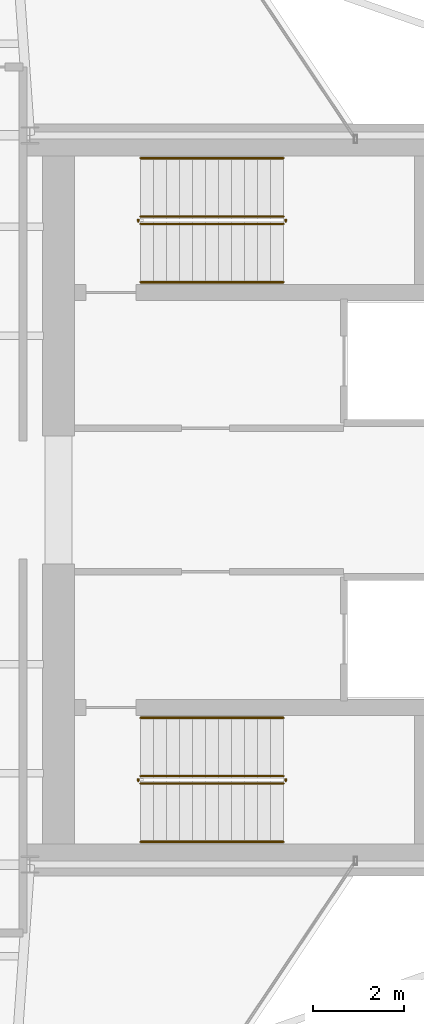
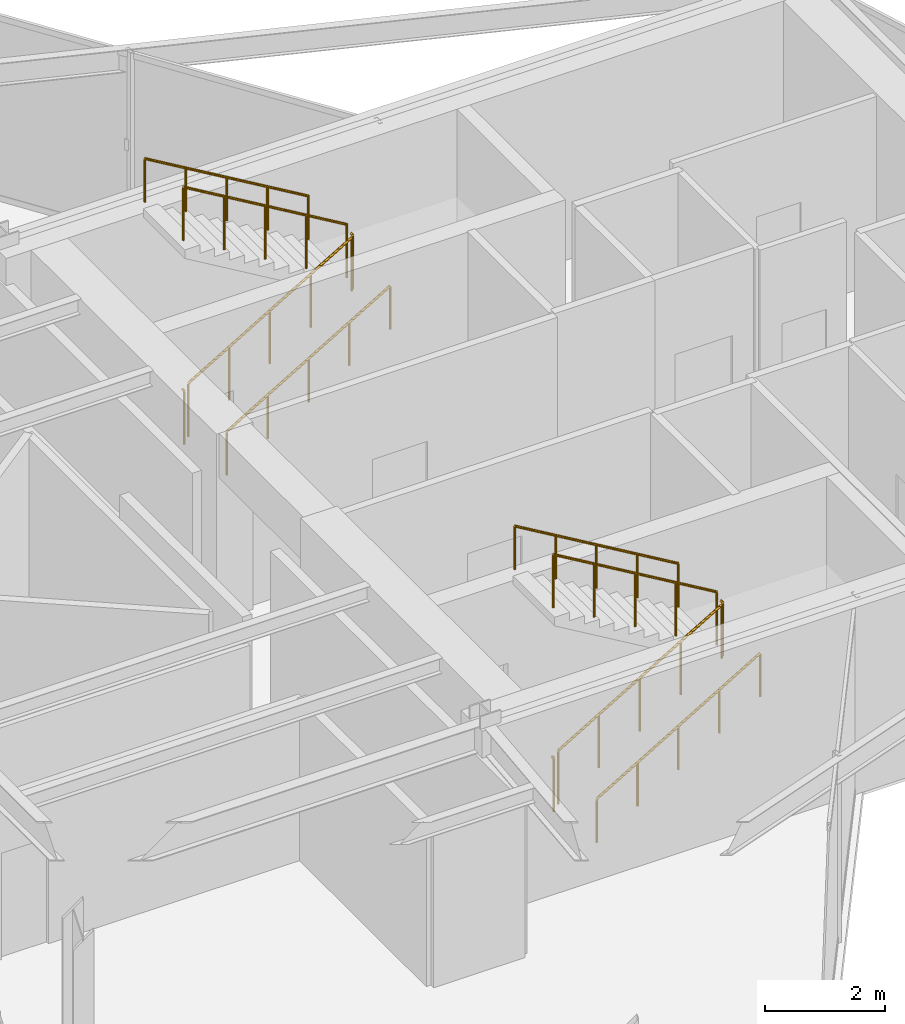
# One storey, part 22 of 22: 12 railings.
"""IFC4 building model written with IfcOpenShell, lengths in metres."""

from ifc_helpers import new_model, si_unit, direction, frame, origin, origin_2d, place, context, subcontext, project, spatial, circle, extrude, material, type_object, element, save


model = new_model("IFC4")

# Units and contexts
model_context = context("Model", 3, precision=1e-05, world=origin(), true_north=direction((0.0, 1.0)))
body_context = subcontext(model_context, "Body", "Model", "MODEL_VIEW")
ifc_project = project(units=[si_unit("LENGTHUNIT", "METRE"), si_unit("AREAUNIT", "SQUARE_METRE"), si_unit("VOLUMEUNIT", "CUBIC_METRE"), si_unit("PLANEANGLEUNIT", "RADIAN"), si_unit("MASSUNIT", "GRAM", prefix="KILO")], contexts=[model_context])

# Site, building, storey
site_placement = place(None, origin())
site = spatial("IfcSite", under=ifc_project, at=site_placement, CompositionType="ELEMENT")
building_placement = place(site_placement, origin())
building = spatial("IfcBuilding", under=site, at=building_placement, Name="Veymaron Broadcast Tower", CompositionType="ELEMENT")
storey_placement = place(building_placement, frame((0.0, 0.0, 208.050048828125)))
storey = spatial("IfcBuildingStorey", under=building, at=storey_placement, Name="L48", CompositionType="ELEMENT", Elevation=208.050048828125)

# Railings
ifc_material_1 = material(Name="Brushed stainless steel AISI 304", Category="steel")
railing_type_1 = type_object("IfcRailingType", Name="RAIL-STAIR-HR", PredefinedType="HANDRAIL", material=ifc_material_1)
railing_1_placement = place(storey_placement, frame((41.429931640625, 28.780029296875, 0.168701171875)))
element("IfcRailing", 1, at=railing_1_placement, inside=storey, type_object=railing_type_1, Name="L48 ST1 stair handrail 1", PredefinedType="HANDRAIL", context=body_context, shape_type="SweptSolid", body=[
    extrude(circle(Radius=0.02392578125, at=origin_2d()), frame((0.0, 0.0, 0.8759765625), z_axis=(0.860481960309, 0.0, 0.509480908359), x_axis=(0.0, 1.0, 0.0)), (0.0, 0.0, 1.0), 3.643310546875),
    extrude(circle(Radius=0.02099609375, at=origin_2d()), origin(), (0.0, 0.0, 1.0), 0.851806640625),
    extrude(circle(Radius=0.02099609375, at=origin_2d()), frame((0.78369140625, 0.0, 0.464111328125)), (0.0, 0.0, 1.0), 0.851806640625),
    extrude(circle(Radius=0.02099609375, at=origin_2d()), frame((1.5673828125, 0.0, 0.92822265625)), (0.0, 0.0, 1.0), 0.851806640625),
    extrude(circle(Radius=0.02099609375, at=origin_2d()), frame((2.351318359375, 0.0, 1.39208984375)), (0.0, 0.0, 1.0), 0.851806640625),
    extrude(circle(Radius=0.02099609375, at=origin_2d()), frame((3.135009765625, 0.0, 1.856201171875)), (0.0, 0.0, 1.0), 0.851806640625),
])
railing_2_placement = place(storey_placement, frame((44.56494140625, 31.5, 2.193603515625)))
element("IfcRailing", 2, at=railing_2_placement, inside=storey, type_object=railing_type_1, Name="L48 ST1 stair handrail 2", PredefinedType="HANDRAIL", context=body_context, shape_type="SweptSolid", body=[
    extrude(circle(Radius=0.02392578125, at=origin_2d()), frame((0.0, 0.0, 0.8759765625), z_axis=(-0.860452582533, 0.0, 0.509530522356), x_axis=(0.0, -1.0, 0.0)), (0.0, 0.0, 1.0), 3.6435546875),
    extrude(circle(Radius=0.02099609375, at=origin_2d()), origin(), (0.0, 0.0, 1.0), 0.851806640625),
    extrude(circle(Radius=0.02099609375, at=origin_2d()), frame((-0.78369140625, 0.0, 0.464111328125)), (0.0, 0.0, 1.0), 0.851806640625),
    extrude(circle(Radius=0.02099609375, at=origin_2d()), frame((-1.5673828125, 0.0, 0.92822265625)), (0.0, 0.0, 1.0), 0.851806640625),
    extrude(circle(Radius=0.02099609375, at=origin_2d()), frame((-2.351318359375, 0.0, 1.392333984375)), (0.0, 0.0, 1.0), 0.851806640625),
    extrude(circle(Radius=0.02099609375, at=origin_2d()), frame((-3.135009765625, 0.0, 1.8564453125)), (0.0, 0.0, 1.0), 0.851806640625),
])
railing_3_placement = place(storey_placement, frame((41.429931640625, 16.5, 0.168701171875)))
element("IfcRailing", 3, at=railing_3_placement, inside=storey, type_object=railing_type_1, Name="L48 ST2 stair handrail 1", PredefinedType="HANDRAIL", context=body_context, shape_type="SweptSolid", body=[
    extrude(circle(Radius=0.02392578125, at=origin_2d()), frame((0.0, 0.0, 0.8759765625), z_axis=(0.860481960309, 0.0, 0.509480908359), x_axis=(0.0, 1.0, 0.0)), (0.0, 0.0, 1.0), 3.643310546875),
    extrude(circle(Radius=0.02099609375, at=origin_2d()), origin(), (0.0, 0.0, 1.0), 0.851806640625),
    extrude(circle(Radius=0.02099609375, at=origin_2d()), frame((0.78369140625, 0.0, 0.464111328125)), (0.0, 0.0, 1.0), 0.851806640625),
    extrude(circle(Radius=0.02099609375, at=origin_2d()), frame((1.5673828125, 0.0, 0.92822265625)), (0.0, 0.0, 1.0), 0.851806640625),
    extrude(circle(Radius=0.02099609375, at=origin_2d()), frame((2.351318359375, 0.0, 1.39208984375)), (0.0, 0.0, 1.0), 0.851806640625),
    extrude(circle(Radius=0.02099609375, at=origin_2d()), frame((3.135009765625, 0.0, 1.856201171875)), (0.0, 0.0, 1.0), 0.851806640625),
])
railing_4_placement = place(storey_placement, frame((44.56494140625, 19.219970703125, 2.193603515625)))
element("IfcRailing", 4, at=railing_4_placement, inside=storey, type_object=railing_type_1, Name="L48 ST2 stair handrail 2", PredefinedType="HANDRAIL", context=body_context, shape_type="SweptSolid", body=[
    extrude(circle(Radius=0.02392578125, at=origin_2d()), frame((0.0, 0.0, 0.8759765625), z_axis=(-0.860452582533, 0.0, 0.509530522356), x_axis=(0.0, -1.0, 0.0)), (0.0, 0.0, 1.0), 3.6435546875),
    extrude(circle(Radius=0.02099609375, at=origin_2d()), origin(), (0.0, 0.0, 1.0), 0.851806640625),
    extrude(circle(Radius=0.02099609375, at=origin_2d()), frame((-0.78369140625, 0.0, 0.464111328125)), (0.0, 0.0, 1.0), 0.851806640625),
    extrude(circle(Radius=0.02099609375, at=origin_2d()), frame((-1.5673828125, 0.0, 0.92822265625)), (0.0, 0.0, 1.0), 0.851806640625),
    extrude(circle(Radius=0.02099609375, at=origin_2d()), frame((-2.351318359375, 0.0, 1.392333984375)), (0.0, 0.0, 1.0), 0.851806640625),
    extrude(circle(Radius=0.02099609375, at=origin_2d()), frame((-3.135009765625, 0.0, 1.8564453125)), (0.0, 0.0, 1.0), 0.851806640625),
])
ifc_material_2 = material(Name="Painted galvanized steel balustrade", Category="steel")
railing_type_2 = type_object("IfcRailingType", Name="RAIL-WELL-GRD", PredefinedType="GUARDRAIL", material=ifc_material_2)
railing_5_placement = place(storey_placement, frame((41.429931640625, 30.06005859375, 0.168701171875)))
element("IfcRailing", 5, at=railing_5_placement, inside=storey, type_object=railing_type_2, Name="L48 ST1 stair guard 1", PredefinedType="GUARDRAIL", context=body_context, shape_type="SweptSolid", body=[
    extrude(circle(Radius=0.02392578125, at=origin_2d()), frame((0.0, 0.0, 1.076171875), z_axis=(0.860481960309, 0.0, 0.509480908359), x_axis=(0.0, 1.0, 0.0)), (0.0, 0.0, 1.0), 3.643310546875),
    extrude(circle(Radius=0.02099609375, at=origin_2d()), origin(), (0.0, 0.0, 1.0), 1.052001953125),
    extrude(circle(Radius=0.02099609375, at=origin_2d()), frame((0.78369140625, 0.0, 0.464111328125)), (0.0, 0.0, 1.0), 1.052001953125),
    extrude(circle(Radius=0.02099609375, at=origin_2d()), frame((1.5673828125, 0.0, 0.92822265625)), (0.0, 0.0, 1.0), 1.052001953125),
    extrude(circle(Radius=0.02099609375, at=origin_2d()), frame((2.351318359375, 0.0, 1.39208984375)), (0.0, 0.0, 1.0), 1.052001953125),
    extrude(circle(Radius=0.02099609375, at=origin_2d()), frame((3.135009765625, 0.0, 1.856201171875)), (0.0, 0.0, 1.0), 1.052001953125),
])
railing_6_placement = place(storey_placement, frame((44.614990234375, 30.110107421875, 2.02490234375)))
element("IfcRailing", 6, at=railing_6_placement, inside=storey, type_object=railing_type_2, Name="L48 ST1 stair guard 2", PredefinedType="GUARDRAIL", context=body_context, shape_type="SweptSolid", body=[
    extrude(circle(Radius=0.02392578125, at=origin_2d()), frame((0.0, 0.0, 1.076171875), z_axis=(0.0, 1.0, 0.0), x_axis=(-1.0, 0.0, 0.0)), (0.0, 0.0, 1.0), 0.059814453125),
    extrude(circle(Radius=0.02099609375, at=origin_2d()), origin(), (0.0, 0.0, 1.0), 1.052001953125),
])
railing_7_placement = place(storey_placement, frame((44.56494140625, 30.219970703125, 2.193603515625)))
element("IfcRailing", 7, at=railing_7_placement, inside=storey, type_object=railing_type_2, Name="L48 ST1 stair guard 3", PredefinedType="GUARDRAIL", context=body_context, shape_type="SweptSolid", body=[
    extrude(circle(Radius=0.02392578125, at=origin_2d()), frame((0.0, 0.0, 1.076171875), z_axis=(-0.860452582533, 0.0, 0.509530522356), x_axis=(0.0, -1.0, 0.0)), (0.0, 0.0, 1.0), 3.6435546875),
    extrude(circle(Radius=0.02099609375, at=origin_2d()), origin(), (0.0, 0.0, 1.0), 1.052001953125),
    extrude(circle(Radius=0.02099609375, at=origin_2d()), frame((-0.78369140625, 0.0, 0.464111328125)), (0.0, 0.0, 1.0), 1.052001953125),
    extrude(circle(Radius=0.02099609375, at=origin_2d()), frame((-1.5673828125, 0.0, 0.92822265625)), (0.0, 0.0, 1.0), 1.052001953125),
    extrude(circle(Radius=0.02099609375, at=origin_2d()), frame((-2.351318359375, 0.0, 1.392333984375)), (0.0, 0.0, 1.0), 1.052001953125),
    extrude(circle(Radius=0.02099609375, at=origin_2d()), frame((-3.135009765625, 0.0, 1.8564453125)), (0.0, 0.0, 1.0), 1.052001953125),
])
railing_8_placement = place(storey_placement, frame((41.3798828125, 30.110107421875, 0.0)))
element("IfcRailing", 8, at=railing_8_placement, inside=storey, type_object=railing_type_2, Name="L48 ST1 stair guard 4", PredefinedType="GUARDRAIL", context=body_context, shape_type="SweptSolid", body=[
    extrude(circle(Radius=0.02392578125, at=origin_2d()), frame((0.0, 0.0, 1.076171875), z_axis=(0.0, 1.0, 0.0), x_axis=(-1.0, 0.0, 0.0)), (0.0, 0.0, 1.0), 0.059814453125),
    extrude(circle(Radius=0.02099609375, at=origin_2d()), origin(), (0.0, 0.0, 1.0), 1.052001953125),
])
railing_9_placement = place(storey_placement, frame((41.429931640625, 17.780029296875, 0.168701171875)))
element("IfcRailing", 9, at=railing_9_placement, inside=storey, type_object=railing_type_2, Name="L48 ST2 stair guard 1", PredefinedType="GUARDRAIL", context=body_context, shape_type="SweptSolid", body=[
    extrude(circle(Radius=0.02392578125, at=origin_2d()), frame((0.0, 0.0, 1.076171875), z_axis=(0.860481960309, 0.0, 0.509480908359), x_axis=(0.0, 1.0, 0.0)), (0.0, 0.0, 1.0), 3.643310546875),
    extrude(circle(Radius=0.02099609375, at=origin_2d()), origin(), (0.0, 0.0, 1.0), 1.052001953125),
    extrude(circle(Radius=0.02099609375, at=origin_2d()), frame((0.78369140625, 0.0, 0.464111328125)), (0.0, 0.0, 1.0), 1.052001953125),
    extrude(circle(Radius=0.02099609375, at=origin_2d()), frame((1.5673828125, 0.0, 0.92822265625)), (0.0, 0.0, 1.0), 1.052001953125),
    extrude(circle(Radius=0.02099609375, at=origin_2d()), frame((2.351318359375, 0.0, 1.39208984375)), (0.0, 0.0, 1.0), 1.052001953125),
    extrude(circle(Radius=0.02099609375, at=origin_2d()), frame((3.135009765625, 0.0, 1.856201171875)), (0.0, 0.0, 1.0), 1.052001953125),
])
railing_10_placement = place(storey_placement, frame((44.614990234375, 17.830078125, 2.02490234375)))
element("IfcRailing", 10, at=railing_10_placement, inside=storey, type_object=railing_type_2, Name="L48 ST2 stair guard 2", PredefinedType="GUARDRAIL", context=body_context, shape_type="SweptSolid", body=[
    extrude(circle(Radius=0.02392578125, at=origin_2d()), frame((0.0, 0.0, 1.076171875), z_axis=(0.0, 1.0, 0.0), x_axis=(-1.0, 0.0, 0.0)), (0.0, 0.0, 1.0), 0.059814453125),
    extrude(circle(Radius=0.02099609375, at=origin_2d()), origin(), (0.0, 0.0, 1.0), 1.052001953125),
])
railing_11_placement = place(storey_placement, frame((44.56494140625, 17.93994140625, 2.193603515625)))
element("IfcRailing", 11, at=railing_11_placement, inside=storey, type_object=railing_type_2, Name="L48 ST2 stair guard 3", PredefinedType="GUARDRAIL", context=body_context, shape_type="SweptSolid", body=[
    extrude(circle(Radius=0.02392578125, at=origin_2d()), frame((0.0, 0.0, 1.076171875), z_axis=(-0.860452582533, 0.0, 0.509530522356), x_axis=(0.0, -1.0, 0.0)), (0.0, 0.0, 1.0), 3.6435546875),
    extrude(circle(Radius=0.02099609375, at=origin_2d()), origin(), (0.0, 0.0, 1.0), 1.052001953125),
    extrude(circle(Radius=0.02099609375, at=origin_2d()), frame((-0.78369140625, 0.0, 0.464111328125)), (0.0, 0.0, 1.0), 1.052001953125),
    extrude(circle(Radius=0.02099609375, at=origin_2d()), frame((-1.5673828125, 0.0, 0.92822265625)), (0.0, 0.0, 1.0), 1.052001953125),
    extrude(circle(Radius=0.02099609375, at=origin_2d()), frame((-2.351318359375, 0.0, 1.392333984375)), (0.0, 0.0, 1.0), 1.052001953125),
    extrude(circle(Radius=0.02099609375, at=origin_2d()), frame((-3.135009765625, 0.0, 1.8564453125)), (0.0, 0.0, 1.0), 1.052001953125),
])
railing_12_placement = place(storey_placement, frame((41.3798828125, 17.830078125, 0.0)))
element("IfcRailing", 12, at=railing_12_placement, inside=storey, type_object=railing_type_2, Name="L48 ST2 stair guard 4", PredefinedType="GUARDRAIL", context=body_context, shape_type="SweptSolid", body=[
    extrude(circle(Radius=0.02392578125, at=origin_2d()), frame((0.0, 0.0, 1.076171875), z_axis=(0.0, 1.0, 0.0), x_axis=(-1.0, 0.0, 0.0)), (0.0, 0.0, 1.0), 0.059814453125),
    extrude(circle(Radius=0.02099609375, at=origin_2d()), origin(), (0.0, 0.0, 1.0), 1.052001953125),
])

save(model, "model.ifc")
